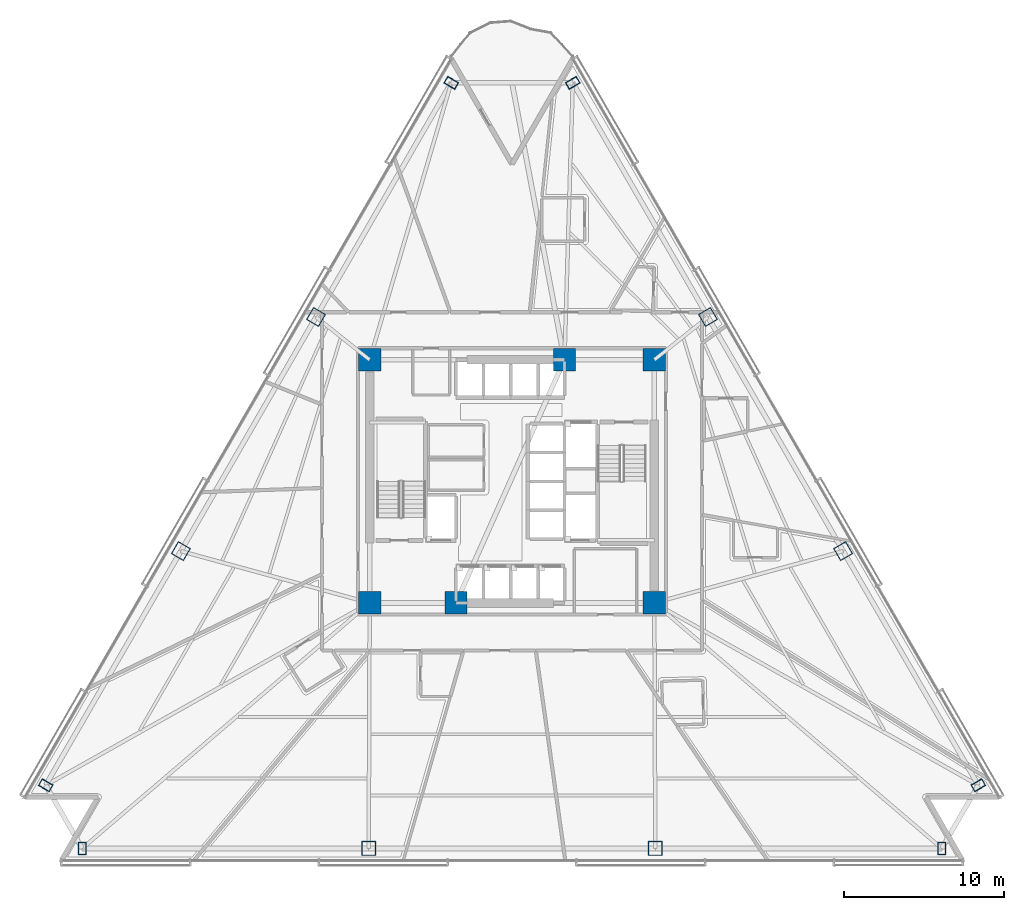
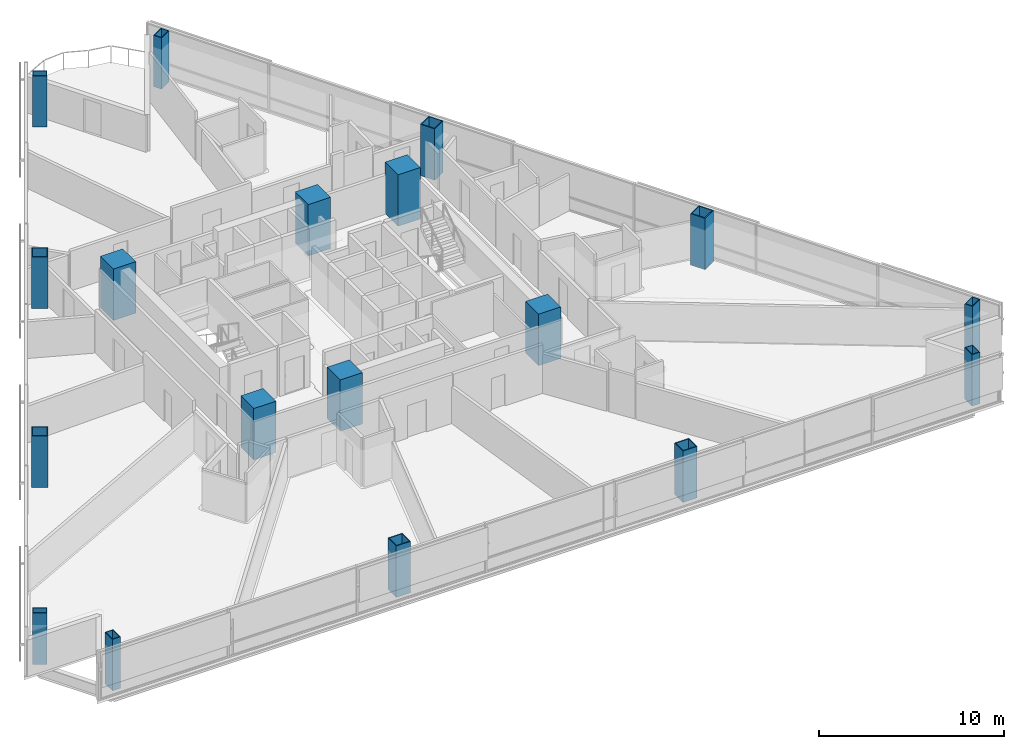
# One storey, part 1 of 17: 18 columns.
"""IFC4 building model written with IfcOpenShell, lengths in metres."""

import ifcopenshell
import ifcopenshell.guid

model = None  # the IFC model being written
_history = None  # IfcOwnerHistory: only IFC2X3 demands one
_inside = {}  # id of a spatial element -> (the spatial element, [elements in it])
_under = {}  # id of a project, library or spatial element -> (it, [spatial elements below it])
_declared = {}  # id of a project -> (the project, [libraries it declares])
_typed = {}  # id of a type object -> (the type object, [elements of that type])
_made_of = {}  # id of a material, layer set ... -> (it, [elements and type objects made of it])


def new_model(schema):
    """Start an empty IFC model of exactly this schema.

    Asked for "IFC4X3", IfcOpenShell would pick the latest addendum, in which some entities
    have other attributes; the version numbers below select the first issue.
    IFC2X3 requires an IfcOwnerHistory on every rooted entity: one is made here for all.
    """
    global model, _history
    if schema == "IFC4X3":
        model = ifcopenshell.file(schema_version=(4, 3, 0, 0))
    else:
        model = ifcopenshell.file(schema=schema)
    _inside.clear()
    _under.clear()
    _declared.clear()
    _typed.clear()
    _made_of.clear()
    _history = None
    if model.schema == "IFC2X3":
        org = make("IfcOrganization", Name="unknown")
        user = make(
            "IfcPersonAndOrganization",
            ThePerson=make("IfcPerson", FamilyName="unknown"),
            TheOrganization=org,
        )
        app = make(
            "IfcApplication",
            ApplicationDeveloper=org,
            Version="unknown",
            ApplicationFullName="unknown",
            ApplicationIdentifier="unknown",
        )
        _history = make(
            "IfcOwnerHistory",
            OwningUser=user,
            OwningApplication=app,
            ChangeAction="ADDED",
            CreationDate=0,
        )
    return model


def make(cls, **values):
    """One entity of the class cls with the attributes given. An attribute that is None is left unset."""
    return model.create_entity(
        cls, **{name: value for name, value in values.items() if value is not None}
    )


def rooted(cls, **values):
    """An entity with a GlobalId (a new one), such as an element, a storey or a relation."""
    return make(cls, GlobalId=ifcopenshell.guid.new(), OwnerHistory=_history, **values)


def si_unit(unit_type, name, prefix=None):
    """IfcSIUnit, for example si_unit("LENGTHUNIT", "METRE", prefix="MILLI")."""
    return make("IfcSIUnit", UnitType=unit_type, Prefix=prefix, Name=name)


def assignment(units):
    """IfcUnitAssignment: the units of a project."""
    return None if units is None else make("IfcUnitAssignment", Units=units)


def point(xyz):
    """IfcCartesianPoint."""
    return None if xyz is None else make("IfcCartesianPoint", Coordinates=xyz)


def direction(xyz):
    """IfcDirection."""
    return None if xyz is None else make("IfcDirection", DirectionRatios=xyz)


def frame(location, z_axis=None, x_axis=None):
    """IfcAxis2Placement3D, a coordinate frame: its origin and axes. An axis left out is left unset."""
    return make(
        "IfcAxis2Placement3D",
        Location=point(location),
        Axis=direction(z_axis),
        RefDirection=direction(x_axis),
    )


def frame_2d(location, x_axis=None):
    """IfcAxis2Placement2D, a coordinate frame in the plane: its origin and x axis."""
    return make(
        "IfcAxis2Placement2D", Location=point(location), RefDirection=direction(x_axis)
    )


def origin():
    """The frame at (0, 0, 0) with its axes left unset."""
    return frame((0.0, 0.0, 0.0))


def origin_2d():
    """The frame at (0, 0) in the plane with its x axis left unset."""
    return frame_2d((0.0, 0.0))


def place(relative_to, where):
    """IfcLocalPlacement: puts the frame where relative to a parent placement (None: the world)."""
    return make(
        "IfcLocalPlacement", PlacementRelTo=relative_to, RelativePlacement=where
    )


def context(
    kind, dimensions, precision=None, world=None, true_north=None, identifier=None
):
    """IfcGeometricRepresentationContext, for example the 3D "Model" context."""
    return make(
        "IfcGeometricRepresentationContext",
        ContextIdentifier=identifier,
        ContextType=kind,
        CoordinateSpaceDimension=dimensions,
        Precision=precision,
        WorldCoordinateSystem=world,
        TrueNorth=true_north,
    )


def subcontext(parent, identifier, kind, view, scale=None):
    """IfcGeometricRepresentationSubContext, for example "Body" below "Model"."""
    return make(
        "IfcGeometricRepresentationSubContext",
        ContextIdentifier=identifier,
        ContextType=kind,
        ParentContext=parent,
        TargetScale=scale,
        TargetView=view,
    )


def project(units=None, contexts=None):
    """IfcProject with its units and contexts."""
    return rooted(
        "IfcProject",
        Name="project",
        RepresentationContexts=contexts,
        UnitsInContext=assignment(units),
    )


def spatial(cls, under=None, at=None, **own):
    """A site, building, storey or space (cls), placed at a placement, below another one or the project."""
    s = rooted(cls, ObjectPlacement=at, **own)
    if under is not None:
        _under.setdefault(under.id(), (under, []))[1].append(s)
    return s


def profile(cls, at=None, kind="AREA", **sizes):
    """A parametric profile (cls). Its sizes go by their IFC names, for example OverallWidth=200.0."""
    return make(cls, ProfileType=kind, Position=at, **sizes)


def rectangle(**sizes):
    """IfcRectangleProfileDef."""
    return profile("IfcRectangleProfileDef", **sizes)


def hollow_rectangle(**sizes):
    """IfcRectangleHollowProfileDef."""
    return profile("IfcRectangleHollowProfileDef", **sizes)


def extrude(swept, where, along, depth):
    """IfcExtrudedAreaSolid: the profile swept, set in the frame where, extruded along a direction by depth."""
    return make(
        "IfcExtrudedAreaSolid",
        SweptArea=swept,
        Position=where,
        ExtrudedDirection=direction(along),
        Depth=depth,
    )


def shape(context_of_items, identifier, shape_type, items):
    """IfcShapeRepresentation: the items that make up one representation, for example the "Body"."""
    return make(
        "IfcShapeRepresentation",
        ContextOfItems=context_of_items,
        RepresentationIdentifier=identifier,
        RepresentationType=shape_type,
        Items=items,
    )


def material(Name=None, Category=None):
    """IfcMaterial."""
    return make("IfcMaterial", Name=Name, Category=Category)


def material_profile(
    of_material, cross_section, Name=None, Category=None, Priority=None
):
    """IfcMaterialProfile: a cross section and its material."""
    return make(
        "IfcMaterialProfile",
        Name=Name,
        Material=of_material,
        Profile=cross_section,
        Priority=Priority,
        Category=Category,
    )


def profile_set(profiles, Name=None, composite=None):
    """IfcMaterialProfileSet."""
    return make(
        "IfcMaterialProfileSet",
        Name=Name,
        MaterialProfiles=profiles,
        CompositeProfile=composite,
    )


def made_of(thing, what):
    """Note that an element or type object is made of a material, layer set ...; save() writes the relation."""
    if what is not None:
        _made_of.setdefault(what.id(), (what, []))[1].append(thing)
    return thing


def type_object(cls, material=None, **own):
    """A type object (cls), such as IfcWallType, which elements share."""
    return made_of(rooted(cls, **own), material)


def element(
    cls,
    number,
    at=None,
    inside=None,
    cuts=None,
    type_object=None,
    material=None,
    context=None,
    identifier="Body",
    shape_type=None,
    held_by="IfcProductDefinitionShape",
    body=None,
    shapes=None,
    **own,
):
    """One element of the class cls, such as IfcWall. Its Tag is "e" and its number.

    at: its placement. inside: the storey or other place that contains it. cuts: it is an
    opening in that element (IfcRelVoidsElement). A single representation is given by context,
    identifier, shape_type and body (its items); several are given by shapes. held_by: the class
    of the entity that holds the representations. save() writes the other relations.
    """
    e = rooted(cls, Tag="e%d" % number, ObjectPlacement=at, **own)
    if body is not None:
        shapes = [shape(context, identifier, shape_type, body)]
    if shapes is not None:
        e.Representation = make(held_by, Representations=shapes)
    if inside is not None:
        _inside.setdefault(inside.id(), (inside, []))[1].append(e)
    if cuts is not None:
        rooted(
            "IfcRelVoidsElement", RelatingBuildingElement=cuts, RelatedOpeningElement=e
        )
    if type_object is not None:
        _typed.setdefault(type_object.id(), (type_object, []))[1].append(e)
    return made_of(e, material)


def aggregate(whole, parts):
    """IfcRelAggregates: a whole, such as a stair, and the parts it consists of."""
    return rooted("IfcRelAggregates", RelatingObject=whole, RelatedObjects=parts)


def save(model, path):
    """Write the relations noted so far, then the file.

    IfcRelAggregates (storeys below a building ...), IfcRelContainedInSpatialStructure (elements
    in a storey), IfcRelDefinesByType, IfcRelAssociatesMaterial and IfcRelDeclares: one each for
    every whole, place, type object, material and project.
    """
    for whole, parts in _under.values():
        aggregate(whole, parts)
    for where, things in _inside.values():
        rooted(
            "IfcRelContainedInSpatialStructure",
            RelatedElements=things,
            RelatingStructure=where,
        )
    for kind, things in _typed.values():
        rooted("IfcRelDefinesByType", RelatedObjects=things, RelatingType=kind)
    for what, things in _made_of.values():
        rooted("IfcRelAssociatesMaterial", RelatedObjects=things, RelatingMaterial=what)
    for by, libraries in _declared.values():
        rooted("IfcRelDeclares", RelatingContext=by, RelatedDefinitions=libraries)
    model.write(path)


model = new_model("IFC4")

# Units and contexts
model_context = context("Model", 3, precision=1e-05, world=origin(), true_north=direction((0.0, 1.0)))
body_context = subcontext(model_context, "Body", "Model", "MODEL_VIEW")
ifc_project = project(units=[si_unit("LENGTHUNIT", "METRE"), si_unit("AREAUNIT", "SQUARE_METRE"), si_unit("VOLUMEUNIT", "CUBIC_METRE"), si_unit("PLANEANGLEUNIT", "RADIAN"), si_unit("MASSUNIT", "GRAM", prefix="KILO")], contexts=[model_context])

# Site, building, storey
site_placement = place(None, origin())
site = spatial("IfcSite", under=ifc_project, at=site_placement, CompositionType="ELEMENT")
building_placement = place(site_placement, origin())
building = spatial("IfcBuilding", under=site, at=building_placement, Name="Tharavind Bronze Gate", CompositionType="ELEMENT")
storey_placement = place(building_placement, frame((0.0, 0.0, 35.25)))
storey = spatial("IfcBuildingStorey", under=building, at=storey_placement, Name="L07", CompositionType="ELEMENT", Elevation=35.25)

# Columns
ifc_material_1 = material(Name="Steel S460", Category="steel")
ifc_material_profile_1 = material_profile(ifc_material_1, hollow_rectangle(XDim=0.5, YDim=0.800048828125, WallThickness=0.0400390625, at=origin_2d()), Name="RHS800X500X40")
ifc_profile_set_1 = profile_set([ifc_material_profile_1], Name="Steel S460")
column_type_1 = type_object("IfcColumnType", Name="CORNER NOTCH COLUMN RHS800X500", PredefinedType="COLUMN", material=ifc_profile_set_1)
for number, where, z_axis, x_axis, name in (
    (1, (-3.800048828125, 24.918212890625, 0.0), (0.0, 0.0, 1.0), (0.500001511499, 0.866024531118, 0.0), "L07 perimeter column S1C1"),
    (2, (-29.15673828125, -19.0009765625, 0.0), (0.0, 0.0, 1.0), (0.500001511499, 0.866024531118, 0.0), "L07 perimeter column S1C4"),
    (3, (-26.876708984375, -22.949951171875, 0.0), (0.0, 0.0, 1.0), (1.0, 0.0, 0.0), "L07 perimeter column S2C1"),
    (4, (26.876708984375, -22.949951171875, 0.0), (0.0, 0.0, 1.0), (1.0, 0.0, 0.0), "L07 perimeter column S2C4"),
    (5, (29.15673828125, -19.0009765625, 0.0), (0.0, 0.0, 1.0), (-0.500001511499, 0.866024531118, 0.0), "L07 perimeter column S3C1"),
    (6, (3.800048828125, 24.918212890625, 0.0), (0.0, 0.0, 1.0), (-0.500001511499, 0.866024531118, 0.0), "L07 perimeter column S3C4"),
):
    element("IfcColumn", number, at=place(storey_placement, frame(where, z_axis=z_axis, x_axis=x_axis)), inside=storey, type_object=column_type_1, Name=name, PredefinedType="COLUMN", context=body_context, shape_type="SweptSolid", body=[
        extrude(hollow_rectangle(XDim=0.5, YDim=0.800048828125, WallThickness=0.0400390625, at=origin_2d()), origin(), (0.0, 0.0, 1.0), 3.39990234375),
    ])
ifc_material_2 = material(Name="Concrete C70/85", Category="concrete")
ifc_material_profile_2 = material_profile(ifc_material_2, rectangle(XDim=1.39990234375, YDim=1.39990234375, at=origin_2d()), Name="RCCOL1400")
ifc_profile_set_2 = profile_set([ifc_material_profile_2], Name="Concrete C70/85")
column_type_2 = type_object("IfcColumnType", Name="MEGA CORE COLUMN 1400", PredefinedType="COLUMN", material=ifc_profile_set_2)
for number, where, z_axis, x_axis, name in (
    (7, (-8.89990234375, -7.60009765625, 0.0), (0.0, 0.0, 1.0), (1.0, 0.0, 0.0), "L07 core mega column MC1"),
    (8, (-3.5, -7.60009765625, 0.0), (0.0, 0.0, 1.0), (1.0, 0.0, 0.0), "L07 core mega column MC2"),
    (9, (8.89990234375, -7.60009765625, 0.0), (0.0, 0.0, 1.0), (1.0, 0.0, 0.0), "L07 core mega column MC3"),
    (10, (8.89990234375, 7.60009765625, 0.0), (0.0, 0.0, 1.0), (1.0, 0.0, 0.0), "L07 core mega column MC4"),
    (11, (3.280029296875, 7.60009765625, 0.0), (0.0, 0.0, 1.0), (1.0, 0.0, 0.0), "L07 core mega column MC5"),
    (12, (-8.89990234375, 7.60009765625, 0.0), (0.0, 0.0, 1.0), (1.0, 0.0, 0.0), "L07 core mega column MC6"),
):
    element("IfcColumn", number, at=place(storey_placement, frame(where, z_axis=z_axis, x_axis=x_axis)), inside=storey, type_object=column_type_2, Name=name, PredefinedType="COLUMN", context=body_context, shape_type="SweptSolid", body=[
        extrude(rectangle(XDim=1.39990234375, YDim=1.39990234375, at=origin_2d()), origin(), (0.0, 0.0, 1.0), 3.39990234375),
    ])
ifc_material_profile_3 = material_profile(ifc_material_1, hollow_rectangle(XDim=0.89990234375, YDim=0.89990234375, WallThickness=0.050048828125, at=origin_2d()), Name="SHS900X50")
ifc_profile_set_3 = profile_set([ifc_material_profile_3], Name="Steel S460")
column_type_3 = type_object("IfcColumnType", Name="PERIMETER BOX COLUMN SHS900", PredefinedType="COLUMN", material=ifc_profile_set_3)
for number, where, z_axis, x_axis, name in (
    (13, (-12.252197265625, 10.278564453125, 0.0), (0.0, 0.0, 1.0), (0.500001511499, 0.866024531118, 0.0), "L07 perimeter column S1C2"),
    (14, (-20.70458984375, -4.361083984375, 0.0), (0.0, 0.0, 1.0), (0.500001511499, 0.866024531118, 0.0), "L07 perimeter column S1C3"),
    (15, (-8.958984375, -22.949951171875, 0.0), (0.0, 0.0, 1.0), (1.0, 0.0, 0.0), "L07 perimeter column S2C2"),
    (16, (8.958984375, -22.949951171875, 0.0), (0.0, 0.0, 1.0), (1.0, 0.0, 0.0), "L07 perimeter column S2C3"),
    (17, (20.70458984375, -4.361083984375, 0.0), (0.0, 0.0, 1.0), (-0.500001511499, 0.866024531118, 0.0), "L07 perimeter column S3C2"),
    (18, (12.252197265625, 10.278564453125, 0.0), (0.0, 0.0, 1.0), (-0.500001511499, 0.866024531118, 0.0), "L07 perimeter column S3C3"),
):
    element("IfcColumn", number, at=place(storey_placement, frame(where, z_axis=z_axis, x_axis=x_axis)), inside=storey, type_object=column_type_3, Name=name, PredefinedType="COLUMN", context=body_context, shape_type="SweptSolid", body=[
        extrude(hollow_rectangle(XDim=0.89990234375, YDim=0.89990234375, WallThickness=0.050048828125, at=origin_2d()), origin(), (0.0, 0.0, 1.0), 3.39990234375),
    ])

save(model, "model.ifc")
